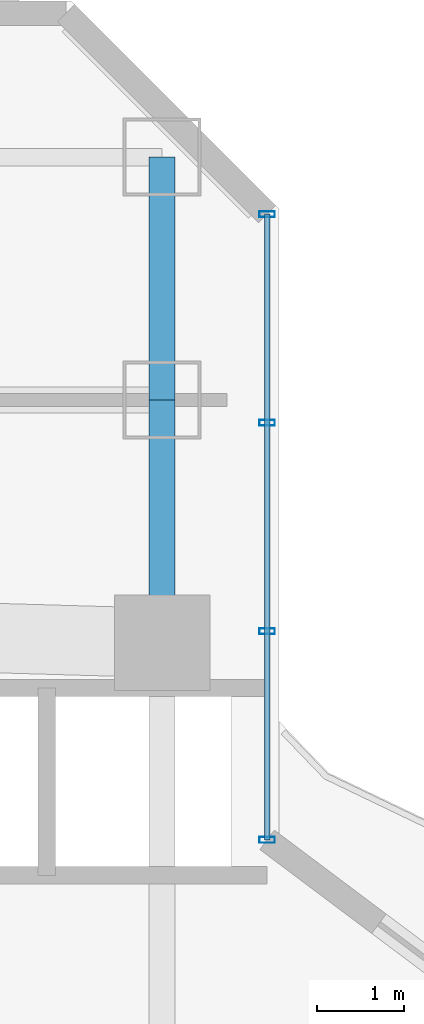
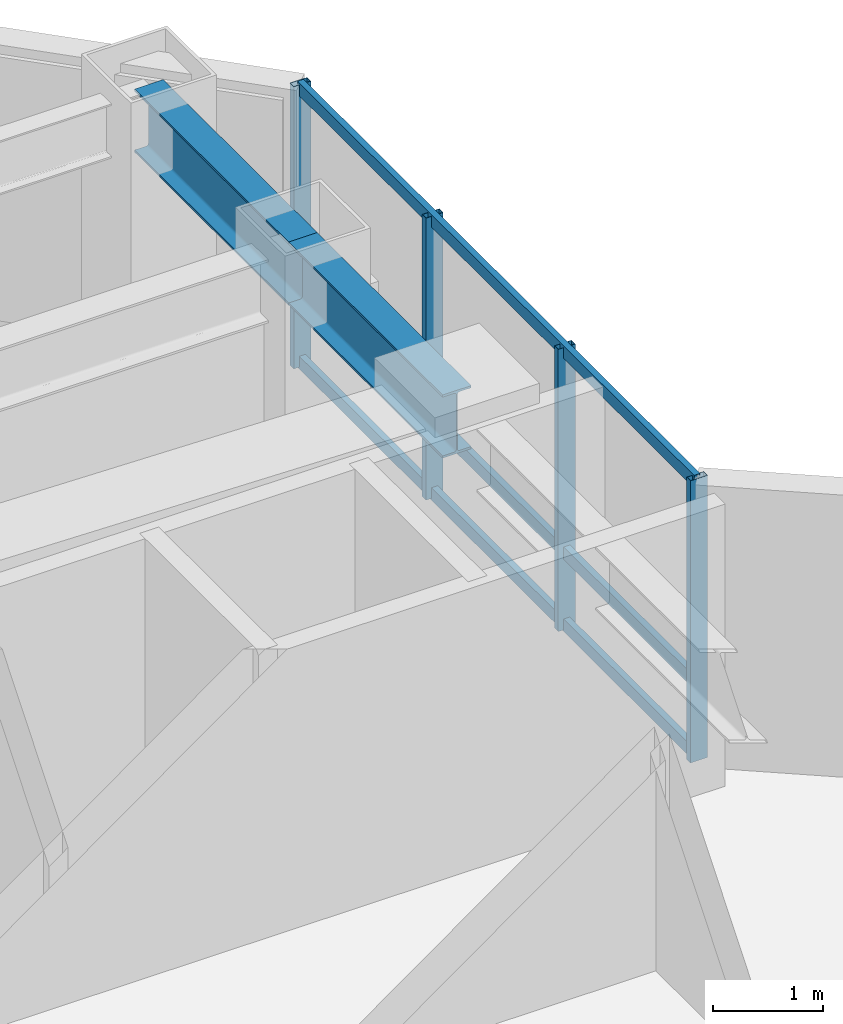
# One storey, part 19 of 31: 7 members, 2 beams, 1 element without a shape of its own.
"""IFC4 building model written with IfcOpenShell, lengths in metres."""

from ifc_helpers import new_model, si_unit, direction, frame, origin, origin_2d, place, context, subcontext, project, spatial, hollow_rectangle, i_section, extrude, material, layer, layer_set, material_profile, profile_set, type_object, element, aggregate, save


model = new_model("IFC4")

# Units and contexts
model_context = context("Model", 3, precision=1e-05, world=origin(), true_north=direction((0.0, 1.0)))
body_context = subcontext(model_context, "Body", "Model", "MODEL_VIEW")
ifc_project = project(units=[si_unit("LENGTHUNIT", "METRE"), si_unit("AREAUNIT", "SQUARE_METRE"), si_unit("VOLUMEUNIT", "CUBIC_METRE"), si_unit("PLANEANGLEUNIT", "RADIAN"), si_unit("MASSUNIT", "GRAM", prefix="KILO")], contexts=[model_context])

# Site, building, storey
site_placement = place(None, origin())
site = spatial("IfcSite", under=ifc_project, at=site_placement, CompositionType="ELEMENT")
building_placement = place(site_placement, origin())
building = spatial("IfcBuilding", under=site, at=building_placement, Name="Hatsunagi Terrace Concourse", CompositionType="ELEMENT")
storey_placement = place(building_placement, frame((0.0, 0.0, 77.949951171875)))
storey = spatial("IfcBuildingStorey", under=building, at=storey_placement, Name="L20", CompositionType="ELEMENT", Elevation=77.949951171875)

# Curtain wall, members
ifc_material_1 = material(Name="Anodised Aluminium Alloy 6063-T5", Category="aluminium")
ifc_layer = layer(ifc_material_1, 0.199951171875)
ifc_layer_set = layer_set([ifc_layer], Name="HotelFacade_CW02")
curtain_wall_type = type_object("IfcCurtainWallType", Name="HotelFacade_CW02", PredefinedType="NOTDEFINED", material=ifc_layer_set)
curtain_wall_placement = place(storey_placement, origin())
curtain_wall = element("IfcCurtainWall", 1, at=curtain_wall_placement, inside=storey, type_object=curtain_wall_type, Name="Unitised Curtain Wall CW-02 CW-L20-13", PredefinedType="NOTDEFINED")
ifc_material_2 = material(Name="Anodised Aluminium Alloy 6063-T5", Category="aluminium")
ifc_material_profile_1 = material_profile(ifc_material_2, hollow_rectangle(XDim=0.070068359375, YDim=0.179931640625, WallThickness=0.00390625, at=origin_2d()), Name="ALU-MUL-180x70x4")
ifc_profile_set_1 = profile_set([ifc_material_profile_1], Name="Anodised Aluminium Alloy 6063-T5")
member_type_1 = type_object("IfcMemberType", Name="CurtainWallMullion_180x70", PredefinedType="MULLION", material=ifc_profile_set_1)
member_1_placement = place(storey_placement, frame((44.860107421875, 47.94189453125, 0.0), z_axis=(0.0, 0.0, 1.0), x_axis=(0.0, -1.0, 0.0)))
member_1 = element("IfcMember", 2, at=member_1_placement, type_object=member_type_1, Name="Curtain Wall Mullion MUL-02", PredefinedType="MULLION", context=body_context, shape_type="SweptSolid", body=[
    extrude(hollow_rectangle(XDim=0.070068359375, YDim=0.179931640625, WallThickness=0.00390625, at=origin_2d()), origin(), (0.0, 0.0, 1.0), 3.130126953125),
])
member_2_placement = place(storey_placement, frame((44.860107421875, 45.5380859375, 0.0), z_axis=(0.0, 0.0, 1.0), x_axis=(0.0, -1.0, 0.0)))
member_2 = element("IfcMember", 3, at=member_2_placement, type_object=member_type_1, Name="Curtain Wall Mullion MUL-02", PredefinedType="MULLION", context=body_context, shape_type="SweptSolid", body=[
    extrude(hollow_rectangle(XDim=0.070068359375, YDim=0.179931640625, WallThickness=0.00390625, at=origin_2d()), origin(), (0.0, 0.0, 1.0), 3.130126953125),
])
member_3_placement = place(storey_placement, frame((44.860107421875, 43.134033203125, 0.0), z_axis=(0.0, 0.0, 1.0), x_axis=(0.0, -1.0, 0.0)))
member_3 = element("IfcMember", 4, at=member_3_placement, type_object=member_type_1, Name="Curtain Wall Mullion MUL-02", PredefinedType="MULLION", context=body_context, shape_type="SweptSolid", body=[
    extrude(hollow_rectangle(XDim=0.070068359375, YDim=0.179931640625, WallThickness=0.00390625, at=origin_2d()), origin(), (0.0, 0.0, 1.0), 3.130126953125),
])
member_4_placement = place(storey_placement, frame((44.860107421875, 40.72998046875, 0.0), z_axis=(0.0, 0.0, 1.0), x_axis=(0.0, -1.0, 0.0)))
member_4 = element("IfcMember", 5, at=member_4_placement, type_object=member_type_1, Name="Curtain Wall Mullion MUL-02", PredefinedType="MULLION", context=body_context, shape_type="SweptSolid", body=[
    extrude(hollow_rectangle(XDim=0.070068359375, YDim=0.179931640625, WallThickness=0.00390625, at=origin_2d()), origin(), (0.0, 0.0, 1.0), 3.130126953125),
])
ifc_material_3 = material(Name="Anodised Aluminium Alloy 6063-T5", Category="aluminium")
ifc_material_profile_2 = material_profile(ifc_material_3, hollow_rectangle(XDim=0.06494140625, YDim=0.139892578125, WallThickness=0.00390625, at=origin_2d()), Name="ALU-TRN-140x65x4")
ifc_profile_set_2 = profile_set([ifc_material_profile_2], Name="Anodised Aluminium Alloy 6063-T5")
member_type_2 = type_object("IfcMemberType", Name="CurtainWallTransom_140x65", PredefinedType="USERDEFINED", material=ifc_profile_set_2)
member_5_placement = place(storey_placement, frame((44.860107421875, 47.94189453125, 0.050048828125), z_axis=(0.0, -1.0, 0.0), x_axis=(1.0, 0.0, 0.0)))
member_5 = element("IfcMember", 6, at=member_5_placement, type_object=member_type_2, Name="Curtain Wall Transom TRN-02", ObjectType="TRANSOM", PredefinedType="USERDEFINED", context=body_context, shape_type="SweptSolid", body=[
    extrude(hollow_rectangle(XDim=0.06494140625, YDim=0.139892578125, WallThickness=0.00390625, at=origin_2d()), origin(), (0.0, 0.0, 1.0), 7.2119140625),
])
member_6_placement = place(storey_placement, frame((44.860107421875, 47.94189453125, 0.85009765625), z_axis=(0.0, -1.0, 0.0), x_axis=(1.0, 0.0, 0.0)))
member_6 = element("IfcMember", 7, at=member_6_placement, type_object=member_type_2, Name="Curtain Wall Transom TRN-02", ObjectType="TRANSOM", PredefinedType="USERDEFINED", context=body_context, shape_type="SweptSolid", body=[
    extrude(hollow_rectangle(XDim=0.06494140625, YDim=0.139892578125, WallThickness=0.00390625, at=origin_2d()), origin(), (0.0, 0.0, 1.0), 7.2119140625),
])
member_7_placement = place(storey_placement, frame((44.860107421875, 47.94189453125, 3.080078125), z_axis=(0.0, -1.0, 0.0), x_axis=(1.0, 0.0, 0.0)))
member_7 = element("IfcMember", 8, at=member_7_placement, type_object=member_type_2, Name="Curtain Wall Transom TRN-02", ObjectType="TRANSOM", PredefinedType="USERDEFINED", context=body_context, shape_type="SweptSolid", body=[
    extrude(hollow_rectangle(XDim=0.06494140625, YDim=0.139892578125, WallThickness=0.00390625, at=origin_2d()), origin(), (0.0, 0.0, 1.0), 7.2119140625),
])
aggregate(curtain_wall, [member_1, member_2, member_3, member_4, member_5, member_6, member_7])

# Beams
ifc_material_4 = material(Name="Steel SN490B", Category="steel")
ifc_material_profile_3 = material_profile(ifc_material_4, i_section(OverallWidth=0.300048828125, OverallDepth=0.699951171875, WebThickness=0.012939453125, FlangeThickness=0.02392578125, FilletRadius=0.02197265625, at=origin_2d()), Name="H-700x300x13x24")
ifc_profile_set_3 = profile_set([ifc_material_profile_3], Name="Steel SN490B")
beam_type = type_object("IfcBeamType", Name="HotelFloorGirder_H_700x300", PredefinedType="BEAM", material=ifc_profile_set_3)
for number, where, z_axis, x_axis, name in (
    (9, (43.64990234375, 43.0, 2.780029296875), (0.0, 1.0, 0.0), (-1.0, 0.0, 0.0), "Beam G-04 BM-L20-CN3"),
    (10, (43.64990234375, 45.800048828125, 2.780029296875), (0.0, 1.0, 0.0), (-1.0, 0.0, 0.0), "Beam G-04 BM-L20-KN-WN6"),
):
    element("IfcBeam", number, at=place(storey_placement, frame(where, z_axis=z_axis, x_axis=x_axis)), inside=storey, type_object=beam_type, Name=name, PredefinedType="BEAM", context=body_context, shape_type="SweptSolid", body=[
        extrude(i_section(OverallWidth=0.300048828125, OverallDepth=0.699951171875, WebThickness=0.012939453125, FlangeThickness=0.02392578125, FilletRadius=0.02197265625, at=origin_2d()), origin(), (0.0, 0.0, 1.0), 2.800048828125),
    ])

save(model, "model.ifc")
